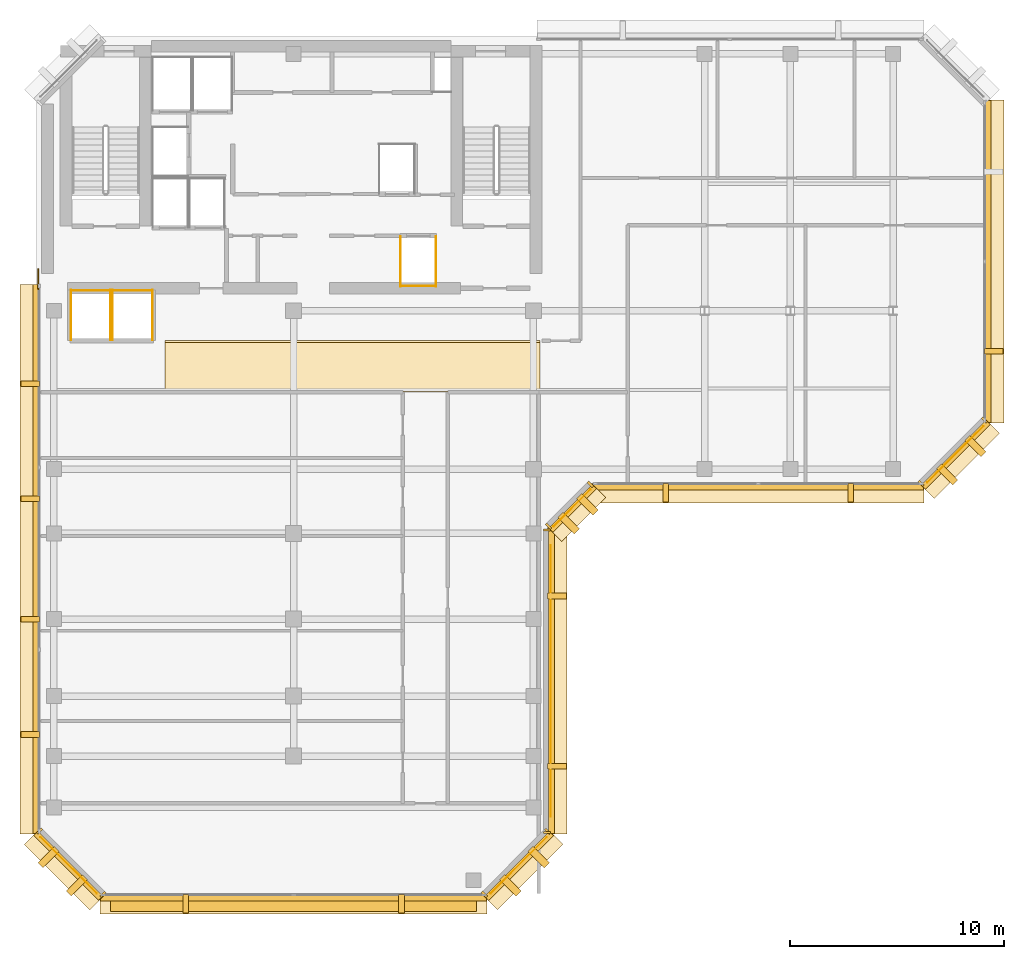
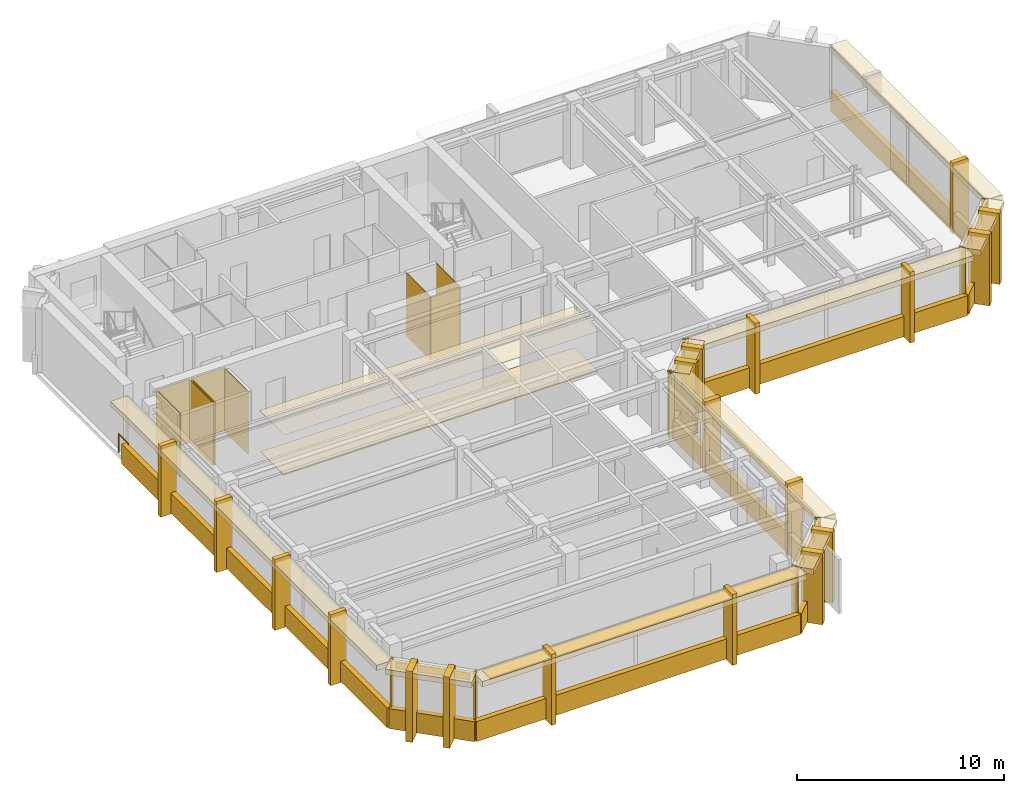
# One storey, part 9 of 11: 63 coverings, 1 railing, 1 shading device.
"""IFC4 building model written with IfcOpenShell, lengths in metres."""

import ifcopenshell
import ifcopenshell.guid

model = None  # the IFC model being written
_history = None  # IfcOwnerHistory: only IFC2X3 demands one
_inside = {}  # id of a spatial element -> (the spatial element, [elements in it])
_under = {}  # id of a project, library or spatial element -> (it, [spatial elements below it])
_declared = {}  # id of a project -> (the project, [libraries it declares])
_typed = {}  # id of a type object -> (the type object, [elements of that type])
_made_of = {}  # id of a material, layer set ... -> (it, [elements and type objects made of it])


def new_model(schema):
    """Start an empty IFC model of exactly this schema.

    Asked for "IFC4X3", IfcOpenShell would pick the latest addendum, in which some entities
    have other attributes; the version numbers below select the first issue.
    IFC2X3 requires an IfcOwnerHistory on every rooted entity: one is made here for all.
    """
    global model, _history
    if schema == "IFC4X3":
        model = ifcopenshell.file(schema_version=(4, 3, 0, 0))
    else:
        model = ifcopenshell.file(schema=schema)
    _inside.clear()
    _under.clear()
    _declared.clear()
    _typed.clear()
    _made_of.clear()
    _history = None
    if model.schema == "IFC2X3":
        org = make("IfcOrganization", Name="unknown")
        user = make(
            "IfcPersonAndOrganization",
            ThePerson=make("IfcPerson", FamilyName="unknown"),
            TheOrganization=org,
        )
        app = make(
            "IfcApplication",
            ApplicationDeveloper=org,
            Version="unknown",
            ApplicationFullName="unknown",
            ApplicationIdentifier="unknown",
        )
        _history = make(
            "IfcOwnerHistory",
            OwningUser=user,
            OwningApplication=app,
            ChangeAction="ADDED",
            CreationDate=0,
        )
    return model


def make(cls, **values):
    """One entity of the class cls with the attributes given. An attribute that is None is left unset."""
    return model.create_entity(
        cls, **{name: value for name, value in values.items() if value is not None}
    )


def rooted(cls, **values):
    """An entity with a GlobalId (a new one), such as an element, a storey or a relation."""
    return make(cls, GlobalId=ifcopenshell.guid.new(), OwnerHistory=_history, **values)


def si_unit(unit_type, name, prefix=None):
    """IfcSIUnit, for example si_unit("LENGTHUNIT", "METRE", prefix="MILLI")."""
    return make("IfcSIUnit", UnitType=unit_type, Prefix=prefix, Name=name)


def assignment(units):
    """IfcUnitAssignment: the units of a project."""
    return None if units is None else make("IfcUnitAssignment", Units=units)


def point(xyz):
    """IfcCartesianPoint."""
    return None if xyz is None else make("IfcCartesianPoint", Coordinates=xyz)


def direction(xyz):
    """IfcDirection."""
    return None if xyz is None else make("IfcDirection", DirectionRatios=xyz)


def frame(location, z_axis=None, x_axis=None):
    """IfcAxis2Placement3D, a coordinate frame: its origin and axes. An axis left out is left unset."""
    return make(
        "IfcAxis2Placement3D",
        Location=point(location),
        Axis=direction(z_axis),
        RefDirection=direction(x_axis),
    )


def frame_2d(location, x_axis=None):
    """IfcAxis2Placement2D, a coordinate frame in the plane: its origin and x axis."""
    return make(
        "IfcAxis2Placement2D", Location=point(location), RefDirection=direction(x_axis)
    )


def origin():
    """The frame at (0, 0, 0) with its axes left unset."""
    return frame((0.0, 0.0, 0.0))


def origin_2d():
    """The frame at (0, 0) in the plane with its x axis left unset."""
    return frame_2d((0.0, 0.0))


def place(relative_to, where):
    """IfcLocalPlacement: puts the frame where relative to a parent placement (None: the world)."""
    return make(
        "IfcLocalPlacement", PlacementRelTo=relative_to, RelativePlacement=where
    )


def context(
    kind, dimensions, precision=None, world=None, true_north=None, identifier=None
):
    """IfcGeometricRepresentationContext, for example the 3D "Model" context."""
    return make(
        "IfcGeometricRepresentationContext",
        ContextIdentifier=identifier,
        ContextType=kind,
        CoordinateSpaceDimension=dimensions,
        Precision=precision,
        WorldCoordinateSystem=world,
        TrueNorth=true_north,
    )


def subcontext(parent, identifier, kind, view, scale=None):
    """IfcGeometricRepresentationSubContext, for example "Body" below "Model"."""
    return make(
        "IfcGeometricRepresentationSubContext",
        ContextIdentifier=identifier,
        ContextType=kind,
        ParentContext=parent,
        TargetScale=scale,
        TargetView=view,
    )


def project(units=None, contexts=None):
    """IfcProject with its units and contexts."""
    return rooted(
        "IfcProject",
        Name="project",
        RepresentationContexts=contexts,
        UnitsInContext=assignment(units),
    )


def spatial(cls, under=None, at=None, **own):
    """A site, building, storey or space (cls), placed at a placement, below another one or the project."""
    s = rooted(cls, ObjectPlacement=at, **own)
    if under is not None:
        _under.setdefault(under.id(), (under, []))[1].append(s)
    return s


def polyline(points):
    """IfcPolyline through the points."""
    return make("IfcPolyline", Points=[point(p) for p in points])


def profile(cls, at=None, kind="AREA", **sizes):
    """A parametric profile (cls). Its sizes go by their IFC names, for example OverallWidth=200.0."""
    return make(cls, ProfileType=kind, Position=at, **sizes)


def rectangle(**sizes):
    """IfcRectangleProfileDef."""
    return profile("IfcRectangleProfileDef", **sizes)


def circle(**sizes):
    """IfcCircleProfileDef."""
    return profile("IfcCircleProfileDef", **sizes)


def outline(outer, holes=None, kind="AREA"):
    """IfcArbitraryClosedProfileDef: a profile drawn as a closed curve; with holes, ...WithVoids."""
    if holes is None:
        return make("IfcArbitraryClosedProfileDef", ProfileType=kind, OuterCurve=outer)
    return make(
        "IfcArbitraryProfileDefWithVoids",
        ProfileType=kind,
        OuterCurve=outer,
        InnerCurves=holes,
    )


def extrude(swept, where, along, depth):
    """IfcExtrudedAreaSolid: the profile swept, set in the frame where, extruded along a direction by depth."""
    return make(
        "IfcExtrudedAreaSolid",
        SweptArea=swept,
        Position=where,
        ExtrudedDirection=direction(along),
        Depth=depth,
    )


def shape(context_of_items, identifier, shape_type, items):
    """IfcShapeRepresentation: the items that make up one representation, for example the "Body"."""
    return make(
        "IfcShapeRepresentation",
        ContextOfItems=context_of_items,
        RepresentationIdentifier=identifier,
        RepresentationType=shape_type,
        Items=items,
    )


def material(Name=None, Category=None):
    """IfcMaterial."""
    return make("IfcMaterial", Name=Name, Category=Category)


def layer(
    of_material, thickness, ventilated=None, Name=None, Category=None, Priority=None
):
    """IfcMaterialLayer: one layer of a wall or slab, of a material (None: an air gap)."""
    return make(
        "IfcMaterialLayer",
        Material=of_material,
        LayerThickness=thickness,
        IsVentilated=ventilated,
        Name=Name,
        Category=Category,
        Priority=Priority,
    )


def layer_set(layers, Name=None):
    """IfcMaterialLayerSet."""
    return make("IfcMaterialLayerSet", MaterialLayers=layers, LayerSetName=Name)


def made_of(thing, what):
    """Note that an element or type object is made of a material, layer set ...; save() writes the relation."""
    if what is not None:
        _made_of.setdefault(what.id(), (what, []))[1].append(thing)
    return thing


def type_object(cls, material=None, **own):
    """A type object (cls), such as IfcWallType, which elements share."""
    return made_of(rooted(cls, **own), material)


def element(
    cls,
    number,
    at=None,
    inside=None,
    cuts=None,
    type_object=None,
    material=None,
    context=None,
    identifier="Body",
    shape_type=None,
    held_by="IfcProductDefinitionShape",
    body=None,
    shapes=None,
    **own,
):
    """One element of the class cls, such as IfcWall. Its Tag is "e" and its number.

    at: its placement. inside: the storey or other place that contains it. cuts: it is an
    opening in that element (IfcRelVoidsElement). A single representation is given by context,
    identifier, shape_type and body (its items); several are given by shapes. held_by: the class
    of the entity that holds the representations. save() writes the other relations.
    """
    e = rooted(cls, Tag="e%d" % number, ObjectPlacement=at, **own)
    if body is not None:
        shapes = [shape(context, identifier, shape_type, body)]
    if shapes is not None:
        e.Representation = make(held_by, Representations=shapes)
    if inside is not None:
        _inside.setdefault(inside.id(), (inside, []))[1].append(e)
    if cuts is not None:
        rooted(
            "IfcRelVoidsElement", RelatingBuildingElement=cuts, RelatedOpeningElement=e
        )
    if type_object is not None:
        _typed.setdefault(type_object.id(), (type_object, []))[1].append(e)
    return made_of(e, material)


def aggregate(whole, parts):
    """IfcRelAggregates: a whole, such as a stair, and the parts it consists of."""
    return rooted("IfcRelAggregates", RelatingObject=whole, RelatedObjects=parts)


def save(model, path):
    """Write the relations noted so far, then the file.

    IfcRelAggregates (storeys below a building ...), IfcRelContainedInSpatialStructure (elements
    in a storey), IfcRelDefinesByType, IfcRelAssociatesMaterial and IfcRelDeclares: one each for
    every whole, place, type object, material and project.
    """
    for whole, parts in _under.values():
        aggregate(whole, parts)
    for where, things in _inside.values():
        rooted(
            "IfcRelContainedInSpatialStructure",
            RelatedElements=things,
            RelatingStructure=where,
        )
    for kind, things in _typed.values():
        rooted("IfcRelDefinesByType", RelatedObjects=things, RelatingType=kind)
    for what, things in _made_of.values():
        rooted("IfcRelAssociatesMaterial", RelatedObjects=things, RelatingMaterial=what)
    for by, libraries in _declared.values():
        rooted("IfcRelDeclares", RelatingContext=by, RelatedDefinitions=libraries)
    model.write(path)


model = new_model("IFC4")

# Units and contexts
model_context = context("Model", 3, precision=1e-05, world=origin(), true_north=direction((0.0, 1.0)))
body_context = subcontext(model_context, "Body", "Model", "MODEL_VIEW")
ifc_project = project(units=[si_unit("LENGTHUNIT", "METRE"), si_unit("AREAUNIT", "SQUARE_METRE"), si_unit("VOLUMEUNIT", "CUBIC_METRE"), si_unit("PLANEANGLEUNIT", "RADIAN"), si_unit("MASSUNIT", "GRAM", prefix="KILO")], contexts=[model_context])

# Site, building, storey
site_placement = place(None, origin())
site = spatial("IfcSite", under=ifc_project, at=site_placement, CompositionType="ELEMENT")
building_placement = place(site_placement, origin())
building = spatial("IfcBuilding", under=site, at=building_placement, Name="Kefirva Bronze Tower", CompositionType="ELEMENT")
storey_placement = place(building_placement, frame((0.0, 0.0, 315.81005859375)))
storey = spatial("IfcBuildingStorey", under=building, at=storey_placement, Name="L77", CompositionType="ELEMENT", Elevation=315.81005859375)

# Coverings
ifc_material_1 = material(Name="Acoustic mineral tile")
ifc_layer_1 = layer(ifc_material_1, 0.02490234375, Name="Acoustic mineral tile")
ifc_layer_set_1 = layer_set([ifc_layer_1], Name="Acoustic mineral tile")
covering_type_1 = type_object("IfcCoveringType", Name="Acoustic Mineral Suspended Ceiling 25mm", PredefinedType="CEILING", material=ifc_layer_set_1)
covering_1_placement = place(storey_placement, frame((0.0, 0.0, 2.39990234375)))
element("IfcCovering", 1, at=covering_1_placement, inside=storey, type_object=covering_type_1, Name="L77 Corridor Acoustic Ceiling", PredefinedType="CEILING", context=body_context, shape_type="SweptSolid", body=[
    extrude(outline(polyline([(6.0, 29.39990234375), (23.5, 29.39990234375), (23.5, 31.800048828125), (6.0, 31.800048828125), (6.0, 29.39990234375)])), origin(), (0.0, 0.0, 1.0), 0.025146484375),
])
ifc_material_2 = material(Name="Bronze anodised aluminium", Category="aluminium")
ifc_layer_2 = layer(ifc_material_2, 0.02001953125, Name="Bronze anodised aluminium")
ifc_layer_set_2 = layer_set([ifc_layer_2], Name="Bronze anodised aluminium")
covering_type_2 = type_object("IfcCoveringType", Name="Anodised Bronze Spandrel Cladding 20mm", PredefinedType="CLADDING", material=ifc_layer_set_2)
covering_2_placement = place(storey_placement, frame((12.0, 5.760009765625, -0.16015625), z_axis=(0.0, 0.0, 1.0), x_axis=(1.0, 0.0, 0.0)))
element("IfcCovering", 2, at=covering_2_placement, inside=storey, type_object=covering_type_2, Name="L77 Streamline Horizontal Spandrel Band 0", PredefinedType="CLADDING", context=body_context, shape_type="SweptSolid", body=[
    extrude(rectangle(XDim=18.0400390625, YDim=0.280029296875, at=origin_2d()), origin(), (0.0, 0.0, 1.0), 1.179931640625),
])
covering_3_placement = place(storey_placement, frame((22.507080078125, 7.29296875, 3.320068359375), z_axis=(0.0, 0.0, 1.0), x_axis=(0.707106781187, 0.707106781187, 0.0)))
element("IfcCovering", 3, at=covering_3_placement, inside=storey, type_object=covering_type_2, Name="L77 Bronze Spandrel Cladding 1", PredefinedType="CLADDING", context=body_context, shape_type="SweptSolid", body=[
    extrude(rectangle(XDim=3.719482421875, YDim=0.02001953125, at=origin_2d()), origin(), (0.0, 0.0, 1.0), 0.39990234375),
])
for number, where, z_axis, x_axis, name in (
    (4, (20.91162109375, 5.93798828125, 0.0), (0.0, 0.0, 1.0), (0.707106781187, 0.707106781187, 0.0), "L77 Facade Joint Closure Panel 1S"),
    (5, (23.862060546875, 8.88818359375, 0.0), (0.0, 0.0, 1.0), (0.707106781187, 0.707106781187, 0.0), "L77 Facade Joint Closure Panel 1E"),
):
    element("IfcCovering", number, at=place(storey_placement, frame(where, z_axis=z_axis, x_axis=x_axis)), inside=storey, type_object=covering_type_2, Name=name, PredefinedType="CLADDING", context=body_context, shape_type="SweptSolid", body=[
        extrude(rectangle(XDim=0.10009765625, YDim=0.320068359375, at=origin_2d()), origin(), (0.0, 0.0, 1.0), 3.739990234375),
    ])
covering_4_placement = place(storey_placement, frame((22.5283203125, 7.271728515625, -0.16015625), z_axis=(0.0, 0.0, 1.0), x_axis=(0.707106781187, 0.707106781187, 0.0)))
element("IfcCovering", 6, at=covering_4_placement, inside=storey, type_object=covering_type_2, Name="L77 Streamline Horizontal Spandrel Band 1", PredefinedType="CLADDING", context=body_context, shape_type="SweptSolid", body=[
    extrude(rectangle(XDim=4.28271484375, YDim=0.280029296875, at=origin_2d()), origin(), (0.0, 0.0, 1.0), 1.179931640625),
])
covering_5_placement = place(storey_placement, frame((24.010009765625, 15.89990234375, 3.320068359375), z_axis=(0.0, 0.0, 1.0), x_axis=(0.0, 1.0, 0.0)))
element("IfcCovering", 7, at=covering_5_placement, inside=storey, type_object=covering_type_2, Name="L77 Bronze Spandrel Cladding 2", PredefinedType="CLADDING", context=body_context, shape_type="SweptSolid", body=[
    extrude(rectangle(XDim=12.680908203125, YDim=0.02001953125, at=origin_2d()), origin(), (0.0, 0.0, 1.0), 0.39990234375),
])
for number, where, z_axis, x_axis, name in (
    (8, (23.840087890625, 8.8349609375, 0.0), (0.0, 0.0, 1.0), (0.0, 1.0, 0.0), "L77 Facade Joint Closure Panel 2S"),
    (9, (23.840087890625, 22.965087890625, 0.0), (0.0, 0.0, 1.0), (0.0, 1.0, 0.0), "L77 Facade Joint Closure Panel 2E"),
):
    element("IfcCovering", number, at=place(storey_placement, frame(where, z_axis=z_axis, x_axis=x_axis)), inside=storey, type_object=covering_type_2, Name=name, PredefinedType="CLADDING", context=body_context, shape_type="SweptSolid", body=[
        extrude(rectangle(XDim=0.10009765625, YDim=0.320068359375, at=origin_2d()), origin(), (0.0, 0.0, 1.0), 3.739990234375),
    ])
covering_6_placement = place(storey_placement, frame((24.0400390625, 15.89990234375, -0.16015625), z_axis=(0.0, 0.0, 1.0), x_axis=(0.0, 1.0, 0.0)))
element("IfcCovering", 10, at=covering_6_placement, inside=storey, type_object=covering_type_2, Name="L77 Streamline Horizontal Spandrel Band 2", PredefinedType="CLADDING", context=body_context, shape_type="SweptSolid", body=[
    extrude(rectangle(XDim=14.239990234375, YDim=0.280029296875, at=origin_2d()), origin(), (0.0, 0.0, 1.0), 1.179931640625),
])
covering_7_placement = place(storey_placement, frame((25.007080078125, 23.992919921875, 3.320068359375), z_axis=(0.0, 0.0, 1.0), x_axis=(0.707106781187, 0.707106781187, 0.0)))
element("IfcCovering", 11, at=covering_7_placement, inside=storey, type_object=covering_type_2, Name="L77 Bronze Spandrel Cladding 3", PredefinedType="CLADDING", context=body_context, shape_type="SweptSolid", body=[
    extrude(rectangle(XDim=2.446533203125, YDim=0.02001953125, at=origin_2d()), origin(), (0.0, 0.0, 1.0), 0.39990234375),
])
for number, where, z_axis, x_axis, name in (
    (12, (23.91162109375, 23.137939453125, 0.0), (0.0, 0.0, 1.0), (0.707106781187, 0.707106781187, 0.0), "L77 Facade Joint Closure Panel 3S"),
    (13, (25.862060546875, 25.08837890625, 0.0), (0.0, 0.0, 1.0), (0.707106781187, 0.707106781187, 0.0), "L77 Facade Joint Closure Panel 3E"),
):
    element("IfcCovering", number, at=place(storey_placement, frame(where, z_axis=z_axis, x_axis=x_axis)), inside=storey, type_object=covering_type_2, Name=name, PredefinedType="CLADDING", context=body_context, shape_type="SweptSolid", body=[
        extrude(rectangle(XDim=0.10009765625, YDim=0.320068359375, at=origin_2d()), origin(), (0.0, 0.0, 1.0), 3.739990234375),
    ])
covering_8_placement = place(storey_placement, frame((25.0283203125, 23.9716796875, -0.16015625), z_axis=(0.0, 0.0, 1.0), x_axis=(0.707106781187, 0.707106781187, 0.0)))
element("IfcCovering", 14, at=covering_8_placement, inside=storey, type_object=covering_type_2, Name="L77 Streamline Horizontal Spandrel Band 3", PredefinedType="CLADDING", context=body_context, shape_type="SweptSolid", body=[
    extrude(rectangle(XDim=2.868408203125, YDim=0.280029296875, at=origin_2d()), origin(), (0.0, 0.0, 1.0), 1.179931640625),
])
covering_9_placement = place(storey_placement, frame((33.699951171875, 24.9599609375, -0.16015625), z_axis=(0.0, 0.0, 1.0), x_axis=(1.0, 0.0, 0.0)))
element("IfcCovering", 15, at=covering_9_placement, inside=storey, type_object=covering_type_2, Name="L77 Streamline Horizontal Spandrel Band 4", PredefinedType="CLADDING", context=body_context, shape_type="SweptSolid", body=[
    extrude(rectangle(XDim=15.43994140625, YDim=0.280029296875, at=origin_2d()), origin(), (0.0, 0.0, 1.0), 1.179931640625),
])
covering_10_placement = place(storey_placement, frame((42.906982421875, 26.492919921875, 3.320068359375), z_axis=(0.0, 0.0, 1.0), x_axis=(0.707106781187, 0.707106781187, 0.0)))
element("IfcCovering", 16, at=covering_10_placement, inside=storey, type_object=covering_type_2, Name="L77 Bronze Spandrel Cladding 4", PredefinedType="CLADDING", context=body_context, shape_type="SweptSolid", body=[
    extrude(rectangle(XDim=3.719482421875, YDim=0.02001953125, at=origin_2d()), origin(), (0.0, 0.0, 1.0), 0.39990234375),
])
for number, where, z_axis, x_axis, name in (
    (17, (41.311767578125, 25.137939453125, 0.0), (0.0, 0.0, 1.0), (0.707106781187, 0.707106781187, 0.0), "L77 Facade Joint Closure Panel 4S"),
    (18, (44.26220703125, 28.08837890625, 0.0), (0.0, 0.0, 1.0), (0.707106781187, 0.707106781187, 0.0), "L77 Facade Joint Closure Panel 4E"),
):
    element("IfcCovering", number, at=place(storey_placement, frame(where, z_axis=z_axis, x_axis=x_axis)), inside=storey, type_object=covering_type_2, Name=name, PredefinedType="CLADDING", context=body_context, shape_type="SweptSolid", body=[
        extrude(rectangle(XDim=0.10009765625, YDim=0.320068359375, at=origin_2d()), origin(), (0.0, 0.0, 1.0), 3.739990234375),
    ])
covering_11_placement = place(storey_placement, frame((42.92822265625, 26.4716796875, -0.16015625), z_axis=(0.0, 0.0, 1.0), x_axis=(0.707106781187, 0.707106781187, 0.0)))
element("IfcCovering", 19, at=covering_11_placement, inside=storey, type_object=covering_type_2, Name="L77 Streamline Horizontal Spandrel Band 5", PredefinedType="CLADDING", context=body_context, shape_type="SweptSolid", body=[
    extrude(rectangle(XDim=4.28271484375, YDim=0.280029296875, at=origin_2d()), origin(), (0.0, 0.0, 1.0), 1.179931640625),
])
covering_12_placement = place(storey_placement, frame((44.43994140625, 35.5, -0.16015625), z_axis=(0.0, 0.0, 1.0), x_axis=(0.0, 1.0, 0.0)))
element("IfcCovering", 20, at=covering_12_placement, inside=storey, type_object=covering_type_2, Name="L77 Streamline Horizontal Spandrel Band 6", PredefinedType="CLADDING", context=body_context, shape_type="SweptSolid", body=[
    extrude(rectangle(XDim=15.0400390625, YDim=0.280029296875, at=origin_2d()), origin(), (0.0, 0.0, 1.0), 1.179931640625),
])
covering_13_placement = place(storey_placement, frame((-0.0400390625, 21.597412109375, -0.16015625), z_axis=(0.0, 0.0, 1.0), x_axis=(0.0, -1.0, 0.0)))
element("IfcCovering", 21, at=covering_13_placement, inside=storey, type_object=covering_type_2, Name="L77 Streamline Horizontal Spandrel Band 10", PredefinedType="CLADDING", context=body_context, shape_type="SweptSolid", body=[
    extrude(rectangle(XDim=25.635009765625, YDim=0.280029296875, at=origin_2d()), origin(), (0.0, 0.0, 1.0), 1.179931640625),
])
covering_14_placement = place(storey_placement, frame((1.492919921875, 7.29296875, 3.320068359375), z_axis=(0.0, 0.0, 1.0), x_axis=(0.707106781187, -0.707106781187, 0.0)))
element("IfcCovering", 22, at=covering_14_placement, inside=storey, type_object=covering_type_2, Name="L77 Bronze Spandrel Cladding 7", PredefinedType="CLADDING", context=body_context, shape_type="SweptSolid", body=[
    extrude(rectangle(XDim=3.719482421875, YDim=0.02001953125, at=origin_2d()), origin(), (0.0, 0.0, 1.0), 0.39990234375),
])
for number, where, z_axis, x_axis, name in (
    (23, (0.137939453125, 8.88818359375, 0.0), (0.0, 0.0, 1.0), (0.707106781187, -0.707106781187, 0.0), "L77 Facade Joint Closure Panel 7S"),
    (24, (3.08837890625, 5.93798828125, 0.0), (0.0, 0.0, 1.0), (0.707106781187, -0.707106781187, 0.0), "L77 Facade Joint Closure Panel 7E"),
):
    element("IfcCovering", number, at=place(storey_placement, frame(where, z_axis=z_axis, x_axis=x_axis)), inside=storey, type_object=covering_type_2, Name=name, PredefinedType="CLADDING", context=body_context, shape_type="SweptSolid", body=[
        extrude(rectangle(XDim=0.10009765625, YDim=0.320068359375, at=origin_2d()), origin(), (0.0, 0.0, 1.0), 3.739990234375),
    ])
covering_15_placement = place(storey_placement, frame((1.4716796875, 7.271728515625, -0.16015625), z_axis=(0.0, 0.0, 1.0), x_axis=(0.707106781187, -0.707106781187, 0.0)))
element("IfcCovering", 25, at=covering_15_placement, inside=storey, type_object=covering_type_2, Name="L77 Streamline Horizontal Spandrel Band 11", PredefinedType="CLADDING", context=body_context, shape_type="SweptSolid", body=[
    extrude(rectangle(XDim=4.28271484375, YDim=0.280029296875, at=origin_2d()), origin(), (0.0, 0.0, 1.0), 1.179931640625),
])
covering_16_placement = place(storey_placement, origin())
element("IfcCovering", 26, at=covering_16_placement, inside=storey, type_object=covering_type_2, Name="L77 Lift OB1 Hoistway Liner N", PredefinedType="CLADDING", context=body_context, shape_type="SweptSolid", body=[
    extrude(outline(polyline([(1.580078125, 34.139892578125), (3.469970703125, 34.139892578125), (3.469970703125, 34.159912109375), (1.580078125, 34.159912109375), (1.580078125, 34.139892578125)])), origin(), (0.0, 0.0, 1.0), 3.739990234375),
])
covering_17_placement = place(storey_placement, origin())
element("IfcCovering", 27, at=covering_17_placement, inside=storey, type_object=covering_type_2, Name="L77 Lift OB1 Hoistway Liner W", PredefinedType="CLADDING", context=body_context, shape_type="SweptSolid", body=[
    extrude(outline(polyline([(1.590087890625, 31.830078125), (1.610107421875, 31.830078125), (1.610107421875, 34.169921875), (1.590087890625, 34.169921875), (1.590087890625, 31.830078125)])), origin(), (0.0, 0.0, 1.0), 3.739990234375),
])
covering_18_placement = place(storey_placement, origin())
element("IfcCovering", 28, at=covering_18_placement, inside=storey, type_object=covering_type_2, Name="L77 Lift OB1 Hoistway Liner E", PredefinedType="CLADDING", context=body_context, shape_type="SweptSolid", body=[
    extrude(outline(polyline([(3.43994140625, 31.830078125), (3.4599609375, 31.830078125), (3.4599609375, 34.169921875), (3.43994140625, 34.169921875), (3.43994140625, 31.830078125)])), origin(), (0.0, 0.0, 1.0), 3.739990234375),
])
covering_19_placement = place(storey_placement, origin())
element("IfcCovering", 29, at=covering_19_placement, inside=storey, type_object=covering_type_2, Name="L77 Lift OB2 Hoistway Liner N", PredefinedType="CLADDING", context=body_context, shape_type="SweptSolid", body=[
    extrude(outline(polyline([(3.530029296875, 34.139892578125), (5.419921875, 34.139892578125), (5.419921875, 34.159912109375), (3.530029296875, 34.159912109375), (3.530029296875, 34.139892578125)])), origin(), (0.0, 0.0, 1.0), 3.739990234375),
])
covering_20_placement = place(storey_placement, origin())
element("IfcCovering", 30, at=covering_20_placement, inside=storey, type_object=covering_type_2, Name="L77 Lift OB2 Hoistway Liner W", PredefinedType="CLADDING", context=body_context, shape_type="SweptSolid", body=[
    extrude(outline(polyline([(3.5400390625, 31.830078125), (3.56005859375, 31.830078125), (3.56005859375, 34.169921875), (3.5400390625, 34.169921875), (3.5400390625, 31.830078125)])), origin(), (0.0, 0.0, 1.0), 3.739990234375),
])
covering_21_placement = place(storey_placement, origin())
element("IfcCovering", 31, at=covering_21_placement, inside=storey, type_object=covering_type_2, Name="L77 Lift OB2 Hoistway Liner E", PredefinedType="CLADDING", context=body_context, shape_type="SweptSolid", body=[
    extrude(outline(polyline([(5.389892578125, 31.830078125), (5.409912109375, 31.830078125), (5.409912109375, 34.169921875), (5.389892578125, 34.169921875), (5.389892578125, 31.830078125)])), origin(), (0.0, 0.0, 1.0), 3.739990234375),
])
covering_22_placement = place(storey_placement, origin())
element("IfcCovering", 32, at=covering_22_placement, inside=storey, type_object=covering_type_2, Name="L77 Lift HP1 Hoistway Liner S", PredefinedType="CLADDING", context=body_context, shape_type="SweptSolid", body=[
    extrude(outline(polyline([(16.97998046875, 34.340087890625), (18.669921875, 34.340087890625), (18.669921875, 34.360107421875), (16.97998046875, 34.360107421875), (16.97998046875, 34.340087890625)])), origin(), (0.0, 0.0, 1.0), 3.739990234375),
])
covering_23_placement = place(storey_placement, origin())
element("IfcCovering", 33, at=covering_23_placement, inside=storey, type_object=covering_type_2, Name="L77 Lift HP1 Hoistway Liner W", PredefinedType="CLADDING", context=body_context, shape_type="SweptSolid", body=[
    extrude(outline(polyline([(16.989990234375, 34.330078125), (17.010009765625, 34.330078125), (17.010009765625, 36.669921875), (16.989990234375, 36.669921875), (16.989990234375, 34.330078125)])), origin(), (0.0, 0.0, 1.0), 3.739990234375),
])
covering_24_placement = place(storey_placement, origin())
element("IfcCovering", 34, at=covering_24_placement, inside=storey, type_object=covering_type_2, Name="L77 Lift HP1 Hoistway Liner E", PredefinedType="CLADDING", context=body_context, shape_type="SweptSolid", body=[
    extrude(outline(polyline([(18.639892578125, 34.330078125), (18.659912109375, 34.330078125), (18.659912109375, 36.669921875), (18.639892578125, 36.669921875), (18.639892578125, 34.330078125)])), origin(), (0.0, 0.0, 1.0), 3.739990234375),
])

# Shading device
ifc_layer_3 = layer(ifc_material_2, 0.090087890625, Name="Bronze anodised aluminium")
ifc_layer_set_3 = layer_set([ifc_layer_3], Name="Bronze anodised aluminium")
shading_device_type = type_object("IfcShadingDeviceType", Name="Horizontal Bronze Sunshade Band 750mm", PredefinedType="JALOUSIE", material=ifc_layer_set_3)
shading_device_placement = place(storey_placement, frame((12.0, 5.5048828125, 3.634765625), z_axis=(0.0, 0.0, 1.0), x_axis=(1.0, 0.0, 0.0)))
element("IfcShadingDevice", 35, at=shading_device_placement, inside=storey, type_object=shading_device_type, Name="L77 Horizontal Bronze Sunshade Band 0", PredefinedType="JALOUSIE", context=body_context, shape_type="SweptSolid", body=[
    extrude(rectangle(XDim=17.090087890625, YDim=0.75, at=origin_2d()), origin(), (0.0, 0.0, 1.0), 0.090087890625),
])

# Railing
ifc_material_3 = material(Name="Stainless steel 316", Category="steel")
railing_type = type_object("IfcRailingType", Name="Interior Stair Guardrail 1100mm", PredefinedType="GUARDRAIL", material=ifc_material_3)
railing_placement = place(storey_placement, frame((0.080078125, 34.199951171875, 0.0)))
element("IfcRailing", 36, at=railing_placement, inside=storey, type_object=railing_type, Name="L77 West Core Junction Guardrail", PredefinedType="GUARDRAIL", context=body_context, shape_type="SweptSolid", body=[
    extrude(circle(Radius=0.02392578125, at=origin_2d()), frame((0.0, 0.0, 1.076171875), z_axis=(0.0, 1.0, 0.0), x_axis=(-1.0, 0.0, 0.0)), (0.0, 0.0, 1.0), 0.949951171875),
    extrude(circle(Radius=0.02099609375, at=origin_2d()), origin(), (0.0, 0.0, 1.0), 1.052001953125),
    extrude(circle(Radius=0.02099609375, at=origin_2d()), frame((0.0, 0.949951171875, 0.0)), (0.0, 0.0, 1.0), 1.052001953125),
])

# Coverings
ifc_material_4 = material(Name="Calcium sulphate access tile")
ifc_layer_4 = layer(ifc_material_4, 0.044921875, Name="Calcium sulphate access tile")
ifc_layer_set_4 = layer_set([ifc_layer_4], Name="Calcium sulphate access tile")
covering_type_3 = type_object("IfcCoveringType", Name="Raised Access Office Flooring 45mm", PredefinedType="FLOORING", material=ifc_layer_set_4)
covering_25_placement = place(storey_placement, origin())
element("IfcCovering", 37, at=covering_25_placement, inside=storey, type_object=covering_type_3, Name="L77 Architectural Finish Flooring", PredefinedType="FLOORING", context=body_context, shape_type="SweptSolid", body=[
    extrude(outline(polyline([(6.0, 29.47998046875), (23.5, 29.47998046875), (23.5, 31.719970703125), (6.0, 31.719970703125), (6.0, 29.47998046875)])), origin(), (0.0, 0.0, 1.0), 0.044921875),
])
ifc_layer_5 = layer(ifc_material_2, 0.179931640625, Name="Bronze anodised aluminium")
ifc_layer_set_5 = layer_set([ifc_layer_5], Name="Bronze anodised aluminium")
covering_type_4 = type_object("IfcCoveringType", Name="Streamline Bronze Sunshade Eyebrow Cladding 180mm", PredefinedType="CLADDING", material=ifc_layer_set_5)
covering_26_placement = place(storey_placement, frame((12.0, 5.489990234375, 3.419921875), z_axis=(0.0, 0.0, 1.0), x_axis=(1.0, 0.0, 0.0)))
element("IfcCovering", 38, at=covering_26_placement, inside=storey, type_object=covering_type_4, Name="L77 Streamline Bronze Sunshade Eyebrow 0", PredefinedType="CLADDING", context=body_context, shape_type="SweptSolid", body=[
    extrude(rectangle(XDim=18.080078125, YDim=0.93994140625, at=origin_2d()), origin(), (0.0, 0.0, 1.0), 0.320068359375),
])
covering_27_placement = place(storey_placement, frame((22.71923828125, 7.080810546875, 3.419921875), z_axis=(0.0, 0.0, 1.0), x_axis=(0.707106781187, 0.707106781187, 0.0)))
element("IfcCovering", 39, at=covering_27_placement, inside=storey, type_object=covering_type_4, Name="L77 Streamline Bronze Sunshade Eyebrow 1", PredefinedType="CLADDING", context=body_context, shape_type="SweptSolid", body=[
    extrude(rectangle(XDim=4.322509765625, YDim=0.93994140625, at=origin_2d()), origin(), (0.0, 0.0, 1.0), 0.320068359375),
])
covering_28_placement = place(storey_placement, frame((24.31005859375, 15.89990234375, 3.419921875), z_axis=(0.0, 0.0, 1.0), x_axis=(0.0, 1.0, 0.0)))
element("IfcCovering", 40, at=covering_28_placement, inside=storey, type_object=covering_type_4, Name="L77 Streamline Bronze Sunshade Eyebrow 2", PredefinedType="CLADDING", context=body_context, shape_type="SweptSolid", body=[
    extrude(rectangle(XDim=14.280029296875, YDim=0.93994140625, at=origin_2d()), origin(), (0.0, 0.0, 1.0), 0.320068359375),
])
covering_29_placement = place(storey_placement, frame((25.21923828125, 23.78076171875, 3.419921875), z_axis=(0.0, 0.0, 1.0), x_axis=(0.707106781187, 0.707106781187, 0.0)))
element("IfcCovering", 41, at=covering_29_placement, inside=storey, type_object=covering_type_4, Name="L77 Streamline Bronze Sunshade Eyebrow 3", PredefinedType="CLADDING", context=body_context, shape_type="SweptSolid", body=[
    extrude(rectangle(XDim=2.908447265625, YDim=0.93994140625, at=origin_2d()), origin(), (0.0, 0.0, 1.0), 0.320068359375),
])
covering_30_placement = place(storey_placement, frame((33.699951171875, 24.68994140625, 3.419921875), z_axis=(0.0, 0.0, 1.0), x_axis=(1.0, 0.0, 0.0)))
element("IfcCovering", 42, at=covering_30_placement, inside=storey, type_object=covering_type_4, Name="L77 Streamline Bronze Sunshade Eyebrow 4", PredefinedType="CLADDING", context=body_context, shape_type="SweptSolid", body=[
    extrude(rectangle(XDim=15.47998046875, YDim=0.93994140625, at=origin_2d()), origin(), (0.0, 0.0, 1.0), 0.320068359375),
])
covering_31_placement = place(storey_placement, frame((43.119140625, 26.28076171875, 3.419921875), z_axis=(0.0, 0.0, 1.0), x_axis=(0.707106781187, 0.707106781187, 0.0)))
element("IfcCovering", 43, at=covering_31_placement, inside=storey, type_object=covering_type_4, Name="L77 Streamline Bronze Sunshade Eyebrow 5", PredefinedType="CLADDING", context=body_context, shape_type="SweptSolid", body=[
    extrude(rectangle(XDim=4.322509765625, YDim=0.93994140625, at=origin_2d()), origin(), (0.0, 0.0, 1.0), 0.320068359375),
])
covering_32_placement = place(storey_placement, frame((44.7099609375, 35.5, 3.419921875), z_axis=(0.0, 0.0, 1.0), x_axis=(0.0, 1.0, 0.0)))
element("IfcCovering", 44, at=covering_32_placement, inside=storey, type_object=covering_type_4, Name="L77 Streamline Bronze Sunshade Eyebrow 6", PredefinedType="CLADDING", context=body_context, shape_type="SweptSolid", body=[
    extrude(rectangle(XDim=15.080078125, YDim=0.93994140625, at=origin_2d()), origin(), (0.0, 0.0, 1.0), 0.320068359375),
])
covering_33_placement = place(storey_placement, frame((-0.31005859375, 21.597412109375, 3.419921875), z_axis=(0.0, 0.0, 1.0), x_axis=(0.0, -1.0, 0.0)))
element("IfcCovering", 45, at=covering_33_placement, inside=storey, type_object=covering_type_4, Name="L77 Streamline Bronze Sunshade Eyebrow 10", PredefinedType="CLADDING", context=body_context, shape_type="SweptSolid", body=[
    extrude(rectangle(XDim=25.675048828125, YDim=0.93994140625, at=origin_2d()), origin(), (0.0, 0.0, 1.0), 0.320068359375),
])
covering_34_placement = place(storey_placement, frame((1.28076171875, 7.080810546875, 3.419921875), z_axis=(0.0, 0.0, 1.0), x_axis=(0.707106781187, -0.707106781187, 0.0)))
element("IfcCovering", 46, at=covering_34_placement, inside=storey, type_object=covering_type_4, Name="L77 Streamline Bronze Sunshade Eyebrow 11", PredefinedType="CLADDING", context=body_context, shape_type="SweptSolid", body=[
    extrude(rectangle(XDim=4.322509765625, YDim=0.93994140625, at=origin_2d()), origin(), (0.0, 0.0, 1.0), 0.320068359375),
])
ifc_layer_6 = layer(ifc_material_2, 0.260009765625, Name="Bronze anodised aluminium")
ifc_layer_set_6 = layer_set([ifc_layer_6], Name="Bronze anodised aluminium")
covering_type_5 = type_object("IfcCoveringType", Name="Unbroken Bronze Buttress Fin Cladding 260mm", PredefinedType="CLADDING", material=ifc_layer_set_6)
for number, where, z_axis, x_axis, name in (
    (47, (6.9599609375, 5.5, -0.22021484375), (0.0, 0.0, 1.0), (1.0, 0.0, 0.0), "L77 Unbroken Vertical Bronze Rib Fin 1"),
    (48, (17.0400390625, 5.5, -0.22021484375), (0.0, 0.0, 1.0), (1.0, 0.0, 0.0), "L77 Unbroken Vertical Bronze Rib Fin 2"),
):
    element("IfcCovering", number, at=place(storey_placement, frame(where, z_axis=z_axis, x_axis=x_axis)), inside=storey, type_object=covering_type_5, Name=name, PredefinedType="CLADDING", context=body_context, shape_type="SweptSolid", body=[
        extrude(rectangle(XDim=0.260009765625, YDim=0.8798828125, at=origin_2d()), origin(), (0.0, 0.0, 1.0), 4.179931640625),
    ])
for number, where, z_axis, x_axis, name in (
    (49, (22.122802734375, 6.357177734375, -0.22021484375), (0.0, 0.0, 1.0), (0.707106781187, 0.707106781187, 0.0), "L77 Chamfered Corner Buttress Fin Cladding 3"),
    (50, (23.44287109375, 7.67724609375, -0.22021484375), (0.0, 0.0, 1.0), (0.707106781187, 0.707106781187, 0.0), "L77 Chamfered Corner Buttress Fin Cladding 4"),
):
    element("IfcCovering", number, at=place(storey_placement, frame(where, z_axis=z_axis, x_axis=x_axis)), inside=storey, type_object=covering_type_5, Name=name, PredefinedType="CLADDING", context=body_context, shape_type="SweptSolid", body=[
        extrude(rectangle(XDim=0.340087890625, YDim=1.080078125, at=origin_2d()), origin(), (0.0, 0.0, 1.0), 4.179931640625),
    ])
for number, where, z_axis, x_axis, name in (
    (51, (24.300048828125, 11.924072265625, -0.22021484375), (0.0, 0.0, 1.0), (0.0, 1.0, 0.0), "L77 Unbroken Vertical Bronze Rib Fin 5"),
    (52, (24.300048828125, 19.8759765625, -0.22021484375), (0.0, 0.0, 1.0), (0.0, 1.0, 0.0), "L77 Unbroken Vertical Bronze Rib Fin 6"),
):
    element("IfcCovering", number, at=place(storey_placement, frame(where, z_axis=z_axis, x_axis=x_axis)), inside=storey, type_object=covering_type_5, Name=name, PredefinedType="CLADDING", context=body_context, shape_type="SweptSolid", body=[
        extrude(rectangle(XDim=0.260009765625, YDim=0.8798828125, at=origin_2d()), origin(), (0.0, 0.0, 1.0), 4.179931640625),
    ])
for number, where, z_axis, x_axis, name in (
    (53, (24.8427734375, 23.277099609375, -0.22021484375), (0.0, 0.0, 1.0), (0.707106781187, 0.707106781187, 0.0), "L77 Chamfered Corner Buttress Fin Cladding 7"),
    (54, (25.722900390625, 24.1572265625, -0.22021484375), (0.0, 0.0, 1.0), (0.707106781187, 0.707106781187, 0.0), "L77 Chamfered Corner Buttress Fin Cladding 8"),
):
    element("IfcCovering", number, at=place(storey_placement, frame(where, z_axis=z_axis, x_axis=x_axis)), inside=storey, type_object=covering_type_5, Name=name, PredefinedType="CLADDING", context=body_context, shape_type="SweptSolid", body=[
        extrude(rectangle(XDim=0.340087890625, YDim=1.080078125, at=origin_2d()), origin(), (0.0, 0.0, 1.0), 4.179931640625),
    ])
for number, where, z_axis, x_axis, name in (
    (55, (29.387939453125, 24.699951171875, -0.22021484375), (0.0, 0.0, 1.0), (1.0, 0.0, 0.0), "L77 Unbroken Vertical Bronze Rib Fin 9"),
    (56, (38.011962890625, 24.699951171875, -0.22021484375), (0.0, 0.0, 1.0), (1.0, 0.0, 0.0), "L77 Unbroken Vertical Bronze Rib Fin 10"),
):
    element("IfcCovering", number, at=place(storey_placement, frame(where, z_axis=z_axis, x_axis=x_axis)), inside=storey, type_object=covering_type_5, Name=name, PredefinedType="CLADDING", context=body_context, shape_type="SweptSolid", body=[
        extrude(rectangle(XDim=0.260009765625, YDim=0.8798828125, at=origin_2d()), origin(), (0.0, 0.0, 1.0), 4.179931640625),
    ])
for number, where, z_axis, x_axis, name in (
    (57, (42.522705078125, 25.55712890625, -0.22021484375), (0.0, 0.0, 1.0), (0.707106781187, 0.707106781187, 0.0), "L77 Chamfered Corner Buttress Fin Cladding 11"),
    (58, (43.8427734375, 26.877197265625, -0.22021484375), (0.0, 0.0, 1.0), (0.707106781187, 0.707106781187, 0.0), "L77 Chamfered Corner Buttress Fin Cladding 12"),
):
    element("IfcCovering", number, at=place(storey_placement, frame(where, z_axis=z_axis, x_axis=x_axis)), inside=storey, type_object=covering_type_5, Name=name, PredefinedType="CLADDING", context=body_context, shape_type="SweptSolid", body=[
        extrude(rectangle(XDim=0.340087890625, YDim=1.080078125, at=origin_2d()), origin(), (0.0, 0.0, 1.0), 4.179931640625),
    ])
for number, where, z_axis, x_axis, name in (
    (59, (44.699951171875, 31.300048828125, -0.22021484375), (0.0, 0.0, 1.0), (0.0, 1.0, 0.0), "L77 Unbroken Vertical Bronze Rib Fin 13"),
    (60, (-0.300048828125, 29.787841796875, -0.22021484375), (0.0, 0.0, 1.0), (0.0, -1.0, 0.0), "L77 Unbroken Vertical Bronze Rib Fin 21"),
    (61, (-0.300048828125, 24.4130859375, -0.22021484375), (0.0, 0.0, 1.0), (0.0, -1.0, 0.0), "L77 Unbroken Vertical Bronze Rib Fin 22"),
    (62, (-0.300048828125, 18.781982421875, -0.22021484375), (0.0, 0.0, 1.0), (0.0, -1.0, 0.0), "L77 Unbroken Vertical Bronze Rib Fin 23"),
    (63, (-0.300048828125, 13.406982421875, -0.22021484375), (0.0, 0.0, 1.0), (0.0, -1.0, 0.0), "L77 Unbroken Vertical Bronze Rib Fin 24"),
):
    element("IfcCovering", number, at=place(storey_placement, frame(where, z_axis=z_axis, x_axis=x_axis)), inside=storey, type_object=covering_type_5, Name=name, PredefinedType="CLADDING", context=body_context, shape_type="SweptSolid", body=[
        extrude(rectangle(XDim=0.260009765625, YDim=0.8798828125, at=origin_2d()), origin(), (0.0, 0.0, 1.0), 4.179931640625),
    ])
for number, where, z_axis, x_axis, name in (
    (64, (0.55712890625, 7.67724609375, -0.22021484375), (0.0, 0.0, 1.0), (0.707106781187, -0.707106781187, 0.0), "L77 Chamfered Corner Buttress Fin Cladding 25"),
    (65, (1.877197265625, 6.357177734375, -0.22021484375), (0.0, 0.0, 1.0), (0.707106781187, -0.707106781187, 0.0), "L77 Chamfered Corner Buttress Fin Cladding 26"),
):
    element("IfcCovering", number, at=place(storey_placement, frame(where, z_axis=z_axis, x_axis=x_axis)), inside=storey, type_object=covering_type_5, Name=name, PredefinedType="CLADDING", context=body_context, shape_type="SweptSolid", body=[
        extrude(rectangle(XDim=0.340087890625, YDim=1.080078125, at=origin_2d()), origin(), (0.0, 0.0, 1.0), 4.179931640625),
    ])

save(model, "model.ifc")
